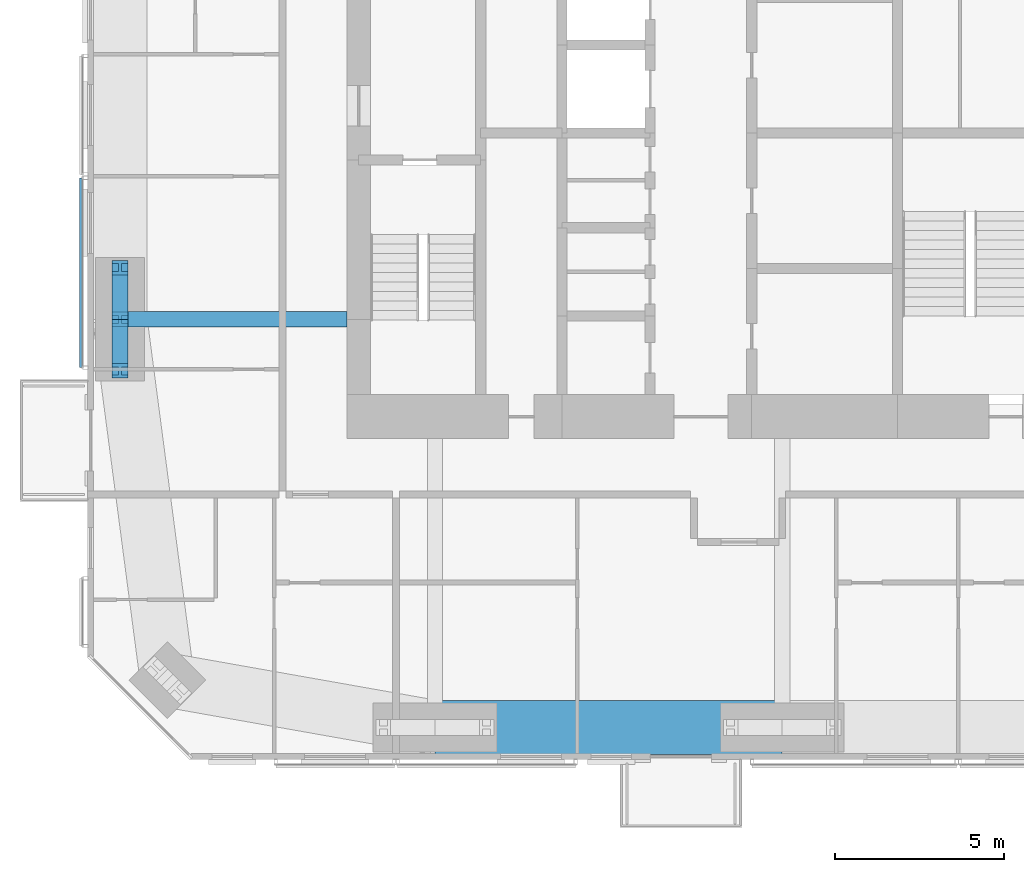
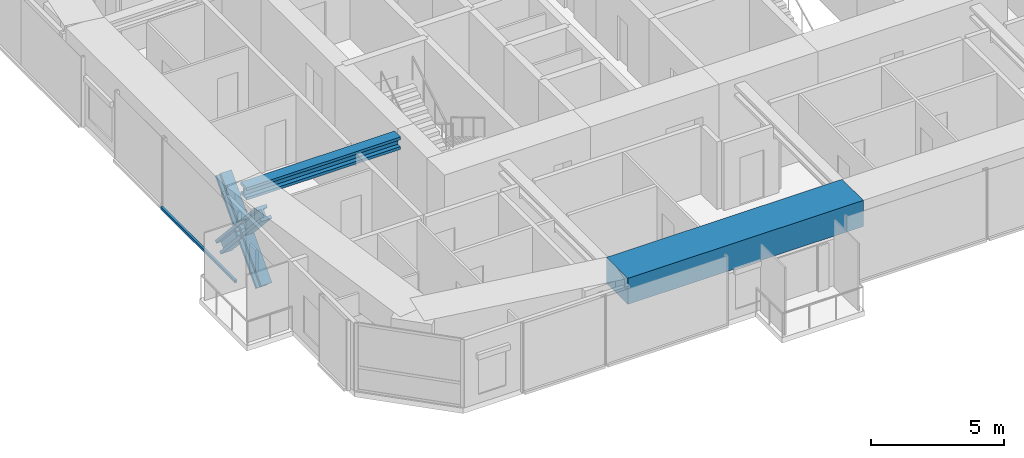
# One storey, part 3 of 23: 5 members, 2 beams, 1 element without a shape of its own.
"""IFC4 building model written with IfcOpenShell, lengths in metres."""

from ifc_helpers import new_model, si_unit, direction, frame, origin, origin_2d, place, context, subcontext, project, spatial, rectangle, i_section, extrude, material, material_profile, profile_set, type_object, element, aggregate, save


model = new_model("IFC4")

# Units and contexts
model_context = context("Model", 3, precision=1e-05, world=origin(), true_north=direction((0.0, 1.0)))
body_context = subcontext(model_context, "Body", "Model", "MODEL_VIEW")
ifc_project = project(units=[si_unit("LENGTHUNIT", "METRE"), si_unit("AREAUNIT", "SQUARE_METRE"), si_unit("VOLUMEUNIT", "CUBIC_METRE"), si_unit("PLANEANGLEUNIT", "RADIAN"), si_unit("MASSUNIT", "GRAM", prefix="KILO")], contexts=[model_context])

# Site, building, storey
site_placement = place(None, origin())
site = spatial("IfcSite", under=ifc_project, at=site_placement, CompositionType="ELEMENT")
building_placement = place(site_placement, origin())
building = spatial("IfcBuilding", under=site, at=building_placement, Name="Jalousie Tower", CompositionType="ELEMENT")
storey_placement = place(building_placement, frame((0.0, 0.0, 194.550048828125)))
storey = spatial("IfcBuildingStorey", under=building, at=storey_placement, Name="L53", CompositionType="ELEMENT", Elevation=194.550048828125)

# Beam
ifc_material_1 = material(Name="Steel ASTM A992 Grade 50", Category="steel")
ifc_material_profile_1 = material_profile(ifc_material_1, i_section(OverallWidth=0.45458984375, OverallDepth=0.569091796875, WebThickness=0.077880859375, FlangeThickness=0.124755859375, at=origin_2d()), Name="W14X730")
ifc_profile_set_1 = profile_set([ifc_material_profile_1], Name="Steel ASTM A992 Grade 50")
beam_type_1 = type_object("IfcBeamType", Name="LEAN COLLECTOR W14X730", PredefinedType="BEAM", material=ifc_profile_set_1)
beam_1_placement = place(storey_placement, frame((12.949951171875, 13.0, 2.825439453125), z_axis=(1.0, 0.0, 0.0), x_axis=(0.0, 1.0, 0.0)))
element("IfcBeam", 1, at=beam_1_placement, inside=storey, type_object=beam_type_1, Name="Lean collector under L54", PredefinedType="BEAM", context=body_context, shape_type="SweptSolid", body=[
    extrude(i_section(OverallWidth=0.45458984375, OverallDepth=0.569091796875, WebThickness=0.077880859375, FlangeThickness=0.124755859375, at=origin_2d()), origin(), (0.0, 0.0, 1.0), 6.699951171875),
])

# Members
ifc_material_2 = material(Name="Steel ASTM A992 Grade 50", Category="steel")
ifc_material_profile_2 = material_profile(ifc_material_2, i_section(OverallWidth=0.472412109375, OverallDepth=0.5791015625, WebThickness=0.094970703125, FlangeThickness=0.1298828125, at=origin_2d()), Name="W14X808")
ifc_profile_set_2 = profile_set([ifc_material_profile_2], Name="Steel ASTM A992 Grade 50")
member_type_1 = type_object("IfcMemberType", Name="PERIMETER BRACE W14X808", PredefinedType="BRACE", material=ifc_profile_set_2)
for number, where, z_axis, x_axis, name in (
    (2, (12.949951171875, 11.47509765625, -0.60009765625), (0.0, 0.673187629365, 0.739471713908), (-1.0, 0.0, 0.0), "Perimeter brace 14 L53 part 1"),
    (3, (12.949951171875, 13.0, 1.074951171875), (0.0, 0.673187629365, 0.739471713908), (-1.0, 0.0, 0.0), "Perimeter brace 14 L53 part 2"),
    (4, (12.949951171875, 14.52490234375, -0.60009765625), (0.0, -0.673187629365, 0.739471713908), (1.0, 0.0, 0.0), "Perimeter brace 14 L53 part 3"),
    (5, (12.949951171875, 13.0, 1.074951171875), (0.0, -0.673187629365, 0.739471713908), (1.0, 0.0, 0.0), "Perimeter brace 14 L53 part 4"),
):
    element("IfcMember", number, at=place(storey_placement, frame(where, z_axis=z_axis, x_axis=x_axis)), inside=storey, type_object=member_type_1, Name=name, PredefinedType="BRACE", context=body_context, shape_type="SweptSolid", body=[
        extrude(i_section(OverallWidth=0.472412109375, OverallDepth=0.5791015625, WebThickness=0.094970703125, FlangeThickness=0.1298828125, at=origin_2d()), origin(), (0.0, 0.0, 1.0), 2.26513671875),
    ])

# Beam
ifc_material_3 = material(Name="Concrete f'c 40 MPa", Category="concrete")
ifc_material_profile_3 = material_profile(ifc_material_3, rectangle(XDim=1.60009765625, YDim=1.199951171875, at=origin_2d()), Name="RC 1600x1200")
ifc_profile_set_3 = profile_set([ifc_material_profile_3], Name="Concrete f'c 40 MPa")
beam_type_2 = type_object("IfcBeamType", Name="RC BEAM 1600x1200", PredefinedType="BEAM", material=ifc_profile_set_3)
beam_2_placement = place(storey_placement, frame((22.25, 0.949951171875, 2.75), z_axis=(1.0, 0.0, 0.0), x_axis=(0.0, 1.0, 0.0)))
element("IfcBeam", 6, at=beam_2_placement, inside=storey, type_object=beam_type_2, Name="Edge band beam 02-03 under L54", PredefinedType="BEAM", context=body_context, shape_type="SweptSolid", body=[
    extrude(rectangle(XDim=1.60009765625, YDim=1.199951171875, at=origin_2d()), origin(), (0.0, 0.0, 1.0), 10.25),
])

# Curtain wall, member
ifc_material_4 = material(Name="Perforated aluminium sheet", Category="aluminium")
curtain_wall_type = type_object("IfcCurtainWallType", Name="SOLAR SCREEN SS-1", PredefinedType="USERDEFINED", material=ifc_material_4)
curtain_wall_placement = place(storey_placement, origin())
curtain_wall = element("IfcCurtainWall", 7, at=curtain_wall_placement, inside=storey, type_object=curtain_wall_type, Name="Solar screen L53", ObjectType="SOLAR SCREEN SS-1", PredefinedType="USERDEFINED")
ifc_material_5 = material(Name="Extruded aluminium screen rail", Category="aluminium")
ifc_material_profile_4 = material_profile(ifc_material_5, rectangle(XDim=0.1015625, YDim=0.1201171875, at=origin_2d()), Name="RAIL 102x120")
ifc_profile_set_4 = profile_set([ifc_material_profile_4], Name="Extruded aluminium screen rail")
member_type_2 = type_object("IfcMemberType", Name="SOLAR SCREEN SS-1 TRANSOM", PredefinedType="USERDEFINED", material=ifc_profile_set_4)
member_placement = place(storey_placement, frame((11.8017578125, 17.175048828125, -0.06005859375), z_axis=(0.0, -1.0, 0.0), x_axis=(1.0, 0.0, 0.0)))
member = element("IfcMember", 8, at=member_placement, type_object=member_type_2, Name="SS1 rail", ObjectType="TRANSOM", PredefinedType="USERDEFINED", context=body_context, shape_type="SweptSolid", body=[
    extrude(rectangle(XDim=0.1015625, YDim=0.1201171875, at=origin_2d()), origin(), (0.0, 0.0, 1.0), 5.60009765625),
])
aggregate(curtain_wall, [member])

save(model, "model.ifc")
